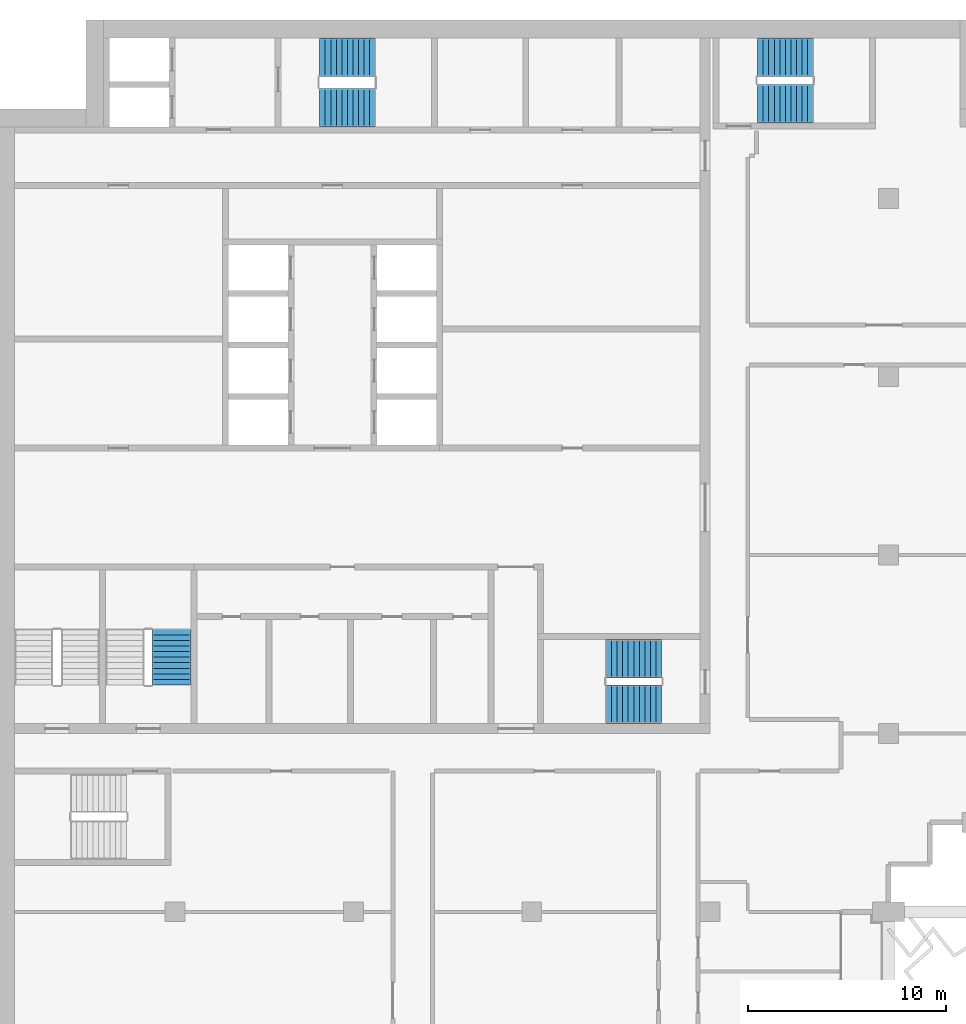
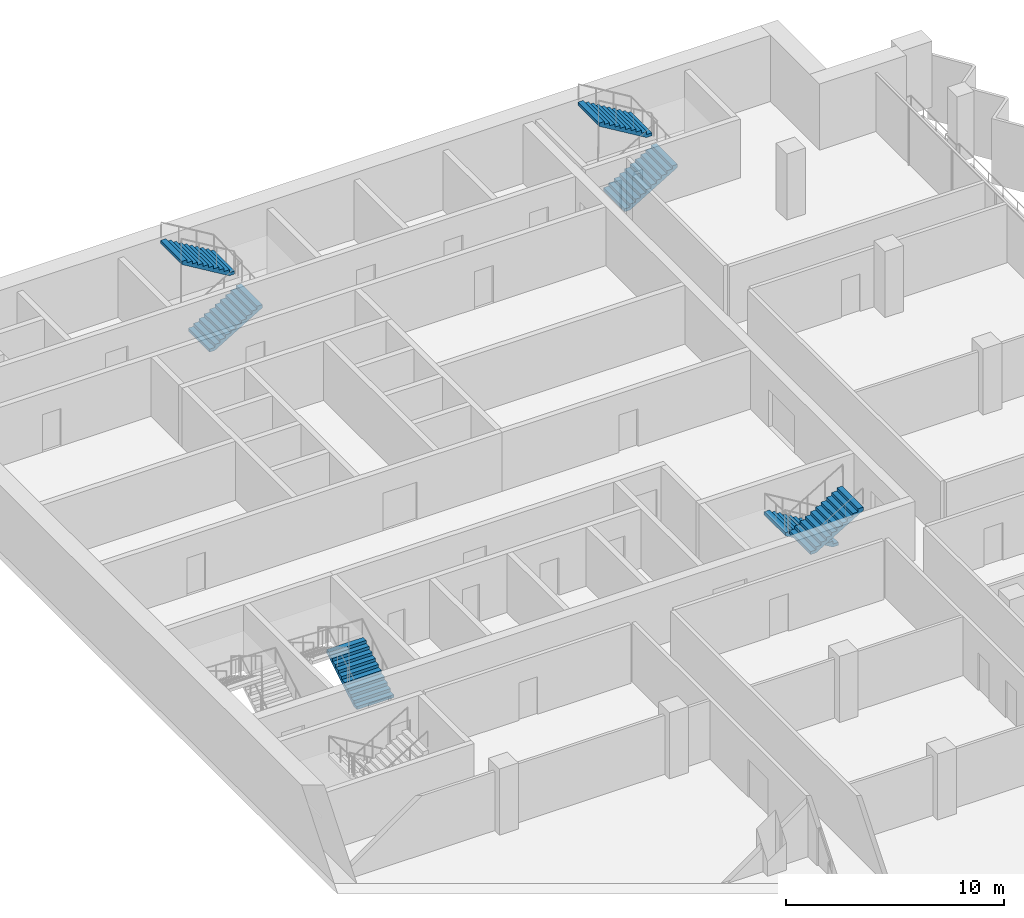
# One storey, part 12 of 16: 7 stair flights, 4 elements without a shape of their own.
"""IFC4 building model written with IfcOpenShell, lengths in metres."""

from ifc_helpers import new_model, si_unit, direction, frame, origin, place, context, subcontext, project, spatial, polyline, outline, extrude, material, type_object, element, aggregate, save


model = new_model("IFC4")

# Units and contexts
model_context = context("Model", 3, precision=1e-05, world=origin(), true_north=direction((0.0, 1.0)))
body_context = subcontext(model_context, "Body", "Model", "MODEL_VIEW")
ifc_project = project(units=[si_unit("LENGTHUNIT", "METRE"), si_unit("AREAUNIT", "SQUARE_METRE"), si_unit("VOLUMEUNIT", "CUBIC_METRE"), si_unit("PLANEANGLEUNIT", "RADIAN"), si_unit("MASSUNIT", "GRAM", prefix="KILO")], contexts=[model_context])

# Site, building, storey
site_placement = place(None, origin())
site = spatial("IfcSite", under=ifc_project, at=site_placement, CompositionType="ELEMENT")
building_placement = place(site_placement, origin())
building = spatial("IfcBuilding", under=site, at=building_placement, Name="Hunhe Ridgeline Campus", CompositionType="ELEMENT")
storey_placement = place(building_placement, frame((0.0, 0.0, 257.699951171875)))
storey = spatial("IfcBuildingStorey", under=building, at=storey_placement, Name="L66", CompositionType="ELEMENT", Elevation=257.699951171875)

# Stair, stair flights
ifc_material = material(Name="Concrete C40", Category="concrete")
stair_type = type_object("IfcStairType", Name="Reinforced concrete dog-leg stair 1950 Concrete C40", PredefinedType="HALF_TURN_STAIR", material=ifc_material)
stair_1_placement = place(storey_placement, origin())
stair_1 = element("IfcStair", 1, at=stair_1_placement, inside=storey, type_object=stair_type, Name="L66 S1", PredefinedType="HALF_TURN_STAIR")
stair_flight_type = type_object("IfcStairFlightType", Name="Reinforced concrete stair flight 1950 Concrete C40", PredefinedType="STRAIGHT", material=ifc_material)
stair_flight_1_placement = place(storey_placement, frame((16.300048828125, 94.574951171875, 0.0), z_axis=(0.0, 0.0, 1.0), x_axis=(1.0, 0.0, 0.0)))
stair_flight_1 = element("IfcStairFlight", 2, at=stair_flight_1_placement, type_object=stair_flight_type, Name="ST1 flight 1", NumberOfRisers=11, NumberOfTreads=10, PredefinedType="STRAIGHT", RiserHeight=0.168181818, TreadLength=0.28, context=body_context, shape_type="SweptSolid", body=[
    extrude(outline(polyline([(0.0, 0.0), (0.0, 0.168212890625), (0.280029296875, 0.168212890625), (0.280029296875, 0.33642578125), (0.56005859375, 0.33642578125), (0.56005859375, 0.504638671875), (0.840087890625, 0.504638671875), (0.840087890625, 0.672607421875), (1.1201171875, 0.672607421875), (1.1201171875, 0.8408203125), (1.39990234375, 0.8408203125), (1.39990234375, 1.009033203125), (1.679931640625, 1.009033203125), (1.679931640625, 1.17724609375), (1.9599609375, 1.17724609375), (1.9599609375, 1.345458984375), (2.239990234375, 1.345458984375), (2.239990234375, 1.513671875), (2.52001953125, 1.513671875), (2.52001953125, 1.681884765625), (2.800048828125, 1.681884765625), (2.800048828125, 1.85009765625), (2.800048828125, 1.5068359375), (0.291015625, 0.0), (0.0, 0.0)])), frame((0.0, 0.97509765625, 0.0), z_axis=(0.0, -1.0, 0.0), x_axis=(1.0, 0.0, 0.0)), (0.0, 0.0, 1.0), 1.949951171875),
    extrude(outline(polyline([(0.030029296875, 0.030029296875), (0.030029296875, 0.13818359375), (0.31005859375, 0.13818359375), (0.31005859375, 0.306396484375), (0.590087890625, 0.306396484375), (0.590087890625, 0.474609375), (0.8701171875, 0.474609375), (0.8701171875, 0.642578125), (1.14990234375, 0.642578125), (1.14990234375, 0.810791015625), (1.429931640625, 0.810791015625), (1.429931640625, 0.97900390625), (1.7099609375, 0.97900390625), (1.7099609375, 1.147216796875), (1.989990234375, 1.147216796875), (1.989990234375, 1.3154296875), (2.27001953125, 1.3154296875), (2.27001953125, 1.483642578125), (2.550048828125, 1.483642578125), (2.550048828125, 1.65185546875), (2.77001953125, 1.65185546875), (2.77001953125, 1.52392578125), (0.28271484375, 0.030029296875), (0.030029296875, 0.030029296875)])), frame((0.0, -0.070068359375, 0.0), z_axis=(0.0, -1.0, 0.0), x_axis=(1.0, 0.0, 0.0)), (0.0, 0.0, 1.0), 0.019775390625),
    extrude(outline(polyline([(0.030029296875, 0.030029296875), (0.030029296875, 0.13818359375), (0.31005859375, 0.13818359375), (0.31005859375, 0.306396484375), (0.590087890625, 0.306396484375), (0.590087890625, 0.474609375), (0.8701171875, 0.474609375), (0.8701171875, 0.642578125), (1.14990234375, 0.642578125), (1.14990234375, 0.810791015625), (1.429931640625, 0.810791015625), (1.429931640625, 0.97900390625), (1.7099609375, 0.97900390625), (1.7099609375, 1.147216796875), (1.989990234375, 1.147216796875), (1.989990234375, 1.3154296875), (2.27001953125, 1.3154296875), (2.27001953125, 1.483642578125), (2.550048828125, 1.483642578125), (2.550048828125, 1.65185546875), (2.77001953125, 1.65185546875), (2.77001953125, 1.52392578125), (0.28271484375, 0.030029296875), (0.030029296875, 0.030029296875)])), frame((0.0, 0.010009765625, 0.0), z_axis=(0.0, -1.0, 0.0), x_axis=(1.0, 0.0, 0.0)), (0.0, 0.0, 1.0), 0.019775390625),
    extrude(outline(polyline([(0.030029296875, 0.030029296875), (0.030029296875, 0.13818359375), (0.31005859375, 0.13818359375), (0.31005859375, 0.306396484375), (0.590087890625, 0.306396484375), (0.590087890625, 0.474609375), (0.8701171875, 0.474609375), (0.8701171875, 0.642578125), (1.14990234375, 0.642578125), (1.14990234375, 0.810791015625), (1.429931640625, 0.810791015625), (1.429931640625, 0.97900390625), (1.7099609375, 0.97900390625), (1.7099609375, 1.147216796875), (1.989990234375, 1.147216796875), (1.989990234375, 1.3154296875), (2.27001953125, 1.3154296875), (2.27001953125, 1.483642578125), (2.550048828125, 1.483642578125), (2.550048828125, 1.65185546875), (2.77001953125, 1.65185546875), (2.77001953125, 1.52392578125), (0.28271484375, 0.030029296875), (0.030029296875, 0.030029296875)])), frame((0.0, 0.090087890625, 0.0), z_axis=(0.0, -1.0, 0.0), x_axis=(1.0, 0.0, 0.0)), (0.0, 0.0, 1.0), 0.019775390625),
])
stair_flight_2_placement = place(storey_placement, frame((19.10009765625, 97.125, 1.85009765625), z_axis=(0.0, 0.0, 1.0), x_axis=(-1.0, 0.0, 0.0)))
stair_flight_2 = element("IfcStairFlight", 3, at=stair_flight_2_placement, type_object=stair_flight_type, Name="ST1 flight 2", NumberOfRisers=11, NumberOfTreads=10, PredefinedType="STRAIGHT", RiserHeight=0.168181818, TreadLength=0.28, context=body_context, shape_type="SweptSolid", body=[
    extrude(outline(polyline([(0.0, 0.0), (0.0, 0.168212890625), (0.280029296875, 0.168212890625), (0.280029296875, 0.33642578125), (0.56005859375, 0.33642578125), (0.56005859375, 0.504638671875), (0.840087890625, 0.504638671875), (0.840087890625, 0.672607421875), (1.1201171875, 0.672607421875), (1.1201171875, 0.8408203125), (1.39990234375, 0.8408203125), (1.39990234375, 1.009033203125), (1.679931640625, 1.009033203125), (1.679931640625, 1.17724609375), (1.9599609375, 1.17724609375), (1.9599609375, 1.345458984375), (2.239990234375, 1.345458984375), (2.239990234375, 1.513671875), (2.52001953125, 1.513671875), (2.52001953125, 1.681884765625), (2.800048828125, 1.681884765625), (2.800048828125, 1.85009765625), (2.800048828125, 1.5068359375), (0.291015625, 0.0), (0.0, 0.0)])), frame((0.0, 0.97509765625, 0.0), z_axis=(0.0, -1.0, 0.0), x_axis=(1.0, 0.0, 0.0)), (0.0, 0.0, 1.0), 1.949951171875),
    extrude(outline(polyline([(0.030029296875, 0.030029296875), (0.030029296875, 0.13818359375), (0.31005859375, 0.13818359375), (0.31005859375, 0.306396484375), (0.590087890625, 0.306396484375), (0.590087890625, 0.474609375), (0.8701171875, 0.474609375), (0.8701171875, 0.642578125), (1.14990234375, 0.642578125), (1.14990234375, 0.810791015625), (1.429931640625, 0.810791015625), (1.429931640625, 0.97900390625), (1.7099609375, 0.97900390625), (1.7099609375, 1.147216796875), (1.989990234375, 1.147216796875), (1.989990234375, 1.3154296875), (2.27001953125, 1.3154296875), (2.27001953125, 1.483642578125), (2.550048828125, 1.483642578125), (2.550048828125, 1.65185546875), (2.77001953125, 1.65185546875), (2.77001953125, 1.52392578125), (0.28271484375, 0.030029296875), (0.030029296875, 0.030029296875)])), frame((0.0, -0.070068359375, 0.0), z_axis=(0.0, -1.0, 0.0), x_axis=(1.0, 0.0, 0.0)), (0.0, 0.0, 1.0), 0.019775390625),
    extrude(outline(polyline([(0.030029296875, 0.030029296875), (0.030029296875, 0.13818359375), (0.31005859375, 0.13818359375), (0.31005859375, 0.306396484375), (0.590087890625, 0.306396484375), (0.590087890625, 0.474609375), (0.8701171875, 0.474609375), (0.8701171875, 0.642578125), (1.14990234375, 0.642578125), (1.14990234375, 0.810791015625), (1.429931640625, 0.810791015625), (1.429931640625, 0.97900390625), (1.7099609375, 0.97900390625), (1.7099609375, 1.147216796875), (1.989990234375, 1.147216796875), (1.989990234375, 1.3154296875), (2.27001953125, 1.3154296875), (2.27001953125, 1.483642578125), (2.550048828125, 1.483642578125), (2.550048828125, 1.65185546875), (2.77001953125, 1.65185546875), (2.77001953125, 1.52392578125), (0.28271484375, 0.030029296875), (0.030029296875, 0.030029296875)])), frame((0.0, 0.010009765625, 0.0), z_axis=(0.0, -1.0, 0.0), x_axis=(1.0, 0.0, 0.0)), (0.0, 0.0, 1.0), 0.019775390625),
    extrude(outline(polyline([(0.030029296875, 0.030029296875), (0.030029296875, 0.13818359375), (0.31005859375, 0.13818359375), (0.31005859375, 0.306396484375), (0.590087890625, 0.306396484375), (0.590087890625, 0.474609375), (0.8701171875, 0.474609375), (0.8701171875, 0.642578125), (1.14990234375, 0.642578125), (1.14990234375, 0.810791015625), (1.429931640625, 0.810791015625), (1.429931640625, 0.97900390625), (1.7099609375, 0.97900390625), (1.7099609375, 1.147216796875), (1.989990234375, 1.147216796875), (1.989990234375, 1.3154296875), (2.27001953125, 1.3154296875), (2.27001953125, 1.483642578125), (2.550048828125, 1.483642578125), (2.550048828125, 1.65185546875), (2.77001953125, 1.65185546875), (2.77001953125, 1.52392578125), (0.28271484375, 0.030029296875), (0.030029296875, 0.030029296875)])), frame((0.0, 0.090087890625, 0.0), z_axis=(0.0, -1.0, 0.0), x_axis=(1.0, 0.0, 0.0)), (0.0, 0.0, 1.0), 0.019775390625),
])
aggregate(stair_1, [stair_flight_1, stair_flight_2])

stair_2_placement = place(storey_placement, origin())
stair_2 = element("IfcStair", 4, at=stair_2_placement, inside=storey, type_object=stair_type, Name="L66 S2", PredefinedType="HALF_TURN_STAIR")
stair_flight_3_placement = place(storey_placement, frame((33.550048828125, 66.77490234375, 0.0), z_axis=(0.0, 0.0, 1.0), x_axis=(-1.0, 0.0, 0.0)))
stair_flight_3 = element("IfcStairFlight", 5, at=stair_flight_3_placement, type_object=stair_flight_type, Name="ST2 flight 1", NumberOfRisers=11, NumberOfTreads=10, PredefinedType="STRAIGHT", RiserHeight=0.168181818, TreadLength=0.28, context=body_context, shape_type="SweptSolid", body=[
    extrude(outline(polyline([(0.0, 0.0), (0.0, 0.168212890625), (0.280029296875, 0.168212890625), (0.280029296875, 0.33642578125), (0.56005859375, 0.33642578125), (0.56005859375, 0.504638671875), (0.840087890625, 0.504638671875), (0.840087890625, 0.672607421875), (1.1201171875, 0.672607421875), (1.1201171875, 0.8408203125), (1.39990234375, 0.8408203125), (1.39990234375, 1.009033203125), (1.679931640625, 1.009033203125), (1.679931640625, 1.17724609375), (1.9599609375, 1.17724609375), (1.9599609375, 1.345458984375), (2.239990234375, 1.345458984375), (2.239990234375, 1.513671875), (2.52001953125, 1.513671875), (2.52001953125, 1.681884765625), (2.800048828125, 1.681884765625), (2.800048828125, 1.85009765625), (2.800048828125, 1.5068359375), (0.291015625, 0.0), (0.0, 0.0)])), frame((0.0, 0.97509765625, 0.0), z_axis=(0.0, -1.0, 0.0), x_axis=(1.0, 0.0, 0.0)), (0.0, 0.0, 1.0), 1.949951171875),
    extrude(outline(polyline([(0.030029296875, 0.030029296875), (0.030029296875, 0.13818359375), (0.31005859375, 0.13818359375), (0.31005859375, 0.306396484375), (0.590087890625, 0.306396484375), (0.590087890625, 0.474609375), (0.8701171875, 0.474609375), (0.8701171875, 0.642578125), (1.14990234375, 0.642578125), (1.14990234375, 0.810791015625), (1.429931640625, 0.810791015625), (1.429931640625, 0.97900390625), (1.7099609375, 0.97900390625), (1.7099609375, 1.147216796875), (1.989990234375, 1.147216796875), (1.989990234375, 1.3154296875), (2.27001953125, 1.3154296875), (2.27001953125, 1.483642578125), (2.550048828125, 1.483642578125), (2.550048828125, 1.65185546875), (2.77001953125, 1.65185546875), (2.77001953125, 1.52392578125), (0.28271484375, 0.030029296875), (0.030029296875, 0.030029296875)])), frame((0.0, -0.070068359375, 0.0), z_axis=(0.0, -1.0, 0.0), x_axis=(1.0, 0.0, 0.0)), (0.0, 0.0, 1.0), 0.019775390625),
    extrude(outline(polyline([(0.030029296875, 0.030029296875), (0.030029296875, 0.13818359375), (0.31005859375, 0.13818359375), (0.31005859375, 0.306396484375), (0.590087890625, 0.306396484375), (0.590087890625, 0.474609375), (0.8701171875, 0.474609375), (0.8701171875, 0.642578125), (1.14990234375, 0.642578125), (1.14990234375, 0.810791015625), (1.429931640625, 0.810791015625), (1.429931640625, 0.97900390625), (1.7099609375, 0.97900390625), (1.7099609375, 1.147216796875), (1.989990234375, 1.147216796875), (1.989990234375, 1.3154296875), (2.27001953125, 1.3154296875), (2.27001953125, 1.483642578125), (2.550048828125, 1.483642578125), (2.550048828125, 1.65185546875), (2.77001953125, 1.65185546875), (2.77001953125, 1.52392578125), (0.28271484375, 0.030029296875), (0.030029296875, 0.030029296875)])), frame((0.0, 0.010009765625, 0.0), z_axis=(0.0, -1.0, 0.0), x_axis=(1.0, 0.0, 0.0)), (0.0, 0.0, 1.0), 0.019775390625),
    extrude(outline(polyline([(0.030029296875, 0.030029296875), (0.030029296875, 0.13818359375), (0.31005859375, 0.13818359375), (0.31005859375, 0.306396484375), (0.590087890625, 0.306396484375), (0.590087890625, 0.474609375), (0.8701171875, 0.474609375), (0.8701171875, 0.642578125), (1.14990234375, 0.642578125), (1.14990234375, 0.810791015625), (1.429931640625, 0.810791015625), (1.429931640625, 0.97900390625), (1.7099609375, 0.97900390625), (1.7099609375, 1.147216796875), (1.989990234375, 1.147216796875), (1.989990234375, 1.3154296875), (2.27001953125, 1.3154296875), (2.27001953125, 1.483642578125), (2.550048828125, 1.483642578125), (2.550048828125, 1.65185546875), (2.77001953125, 1.65185546875), (2.77001953125, 1.52392578125), (0.28271484375, 0.030029296875), (0.030029296875, 0.030029296875)])), frame((0.0, 0.090087890625, 0.0), z_axis=(0.0, -1.0, 0.0), x_axis=(1.0, 0.0, 0.0)), (0.0, 0.0, 1.0), 0.019775390625),
])
stair_flight_4_placement = place(storey_placement, frame((30.75, 64.47509765625, 1.85009765625), z_axis=(0.0, 0.0, 1.0), x_axis=(1.0, 0.0, 0.0)))
stair_flight_4 = element("IfcStairFlight", 6, at=stair_flight_4_placement, type_object=stair_flight_type, Name="ST2 flight 2", NumberOfRisers=11, NumberOfTreads=10, PredefinedType="STRAIGHT", RiserHeight=0.168181818, TreadLength=0.28, context=body_context, shape_type="SweptSolid", body=[
    extrude(outline(polyline([(0.0, 0.0), (0.0, 0.168212890625), (0.280029296875, 0.168212890625), (0.280029296875, 0.33642578125), (0.56005859375, 0.33642578125), (0.56005859375, 0.504638671875), (0.840087890625, 0.504638671875), (0.840087890625, 0.672607421875), (1.1201171875, 0.672607421875), (1.1201171875, 0.8408203125), (1.39990234375, 0.8408203125), (1.39990234375, 1.009033203125), (1.679931640625, 1.009033203125), (1.679931640625, 1.17724609375), (1.9599609375, 1.17724609375), (1.9599609375, 1.345458984375), (2.239990234375, 1.345458984375), (2.239990234375, 1.513671875), (2.52001953125, 1.513671875), (2.52001953125, 1.681884765625), (2.800048828125, 1.681884765625), (2.800048828125, 1.85009765625), (2.800048828125, 1.5068359375), (0.291015625, 0.0), (0.0, 0.0)])), frame((0.0, 0.97509765625, 0.0), z_axis=(0.0, -1.0, 0.0), x_axis=(1.0, 0.0, 0.0)), (0.0, 0.0, 1.0), 1.949951171875),
    extrude(outline(polyline([(0.030029296875, 0.030029296875), (0.030029296875, 0.13818359375), (0.31005859375, 0.13818359375), (0.31005859375, 0.306396484375), (0.590087890625, 0.306396484375), (0.590087890625, 0.474609375), (0.8701171875, 0.474609375), (0.8701171875, 0.642578125), (1.14990234375, 0.642578125), (1.14990234375, 0.810791015625), (1.429931640625, 0.810791015625), (1.429931640625, 0.97900390625), (1.7099609375, 0.97900390625), (1.7099609375, 1.147216796875), (1.989990234375, 1.147216796875), (1.989990234375, 1.3154296875), (2.27001953125, 1.3154296875), (2.27001953125, 1.483642578125), (2.550048828125, 1.483642578125), (2.550048828125, 1.65185546875), (2.77001953125, 1.65185546875), (2.77001953125, 1.52392578125), (0.28271484375, 0.030029296875), (0.030029296875, 0.030029296875)])), frame((0.0, -0.070068359375, 0.0), z_axis=(0.0, -1.0, 0.0), x_axis=(1.0, 0.0, 0.0)), (0.0, 0.0, 1.0), 0.019775390625),
    extrude(outline(polyline([(0.030029296875, 0.030029296875), (0.030029296875, 0.13818359375), (0.31005859375, 0.13818359375), (0.31005859375, 0.306396484375), (0.590087890625, 0.306396484375), (0.590087890625, 0.474609375), (0.8701171875, 0.474609375), (0.8701171875, 0.642578125), (1.14990234375, 0.642578125), (1.14990234375, 0.810791015625), (1.429931640625, 0.810791015625), (1.429931640625, 0.97900390625), (1.7099609375, 0.97900390625), (1.7099609375, 1.147216796875), (1.989990234375, 1.147216796875), (1.989990234375, 1.3154296875), (2.27001953125, 1.3154296875), (2.27001953125, 1.483642578125), (2.550048828125, 1.483642578125), (2.550048828125, 1.65185546875), (2.77001953125, 1.65185546875), (2.77001953125, 1.52392578125), (0.28271484375, 0.030029296875), (0.030029296875, 0.030029296875)])), frame((0.0, 0.010009765625, 0.0), z_axis=(0.0, -1.0, 0.0), x_axis=(1.0, 0.0, 0.0)), (0.0, 0.0, 1.0), 0.019775390625),
    extrude(outline(polyline([(0.030029296875, 0.030029296875), (0.030029296875, 0.13818359375), (0.31005859375, 0.13818359375), (0.31005859375, 0.306396484375), (0.590087890625, 0.306396484375), (0.590087890625, 0.474609375), (0.8701171875, 0.474609375), (0.8701171875, 0.642578125), (1.14990234375, 0.642578125), (1.14990234375, 0.810791015625), (1.429931640625, 0.810791015625), (1.429931640625, 0.97900390625), (1.7099609375, 0.97900390625), (1.7099609375, 1.147216796875), (1.989990234375, 1.147216796875), (1.989990234375, 1.3154296875), (2.27001953125, 1.3154296875), (2.27001953125, 1.483642578125), (2.550048828125, 1.483642578125), (2.550048828125, 1.65185546875), (2.77001953125, 1.65185546875), (2.77001953125, 1.52392578125), (0.28271484375, 0.030029296875), (0.030029296875, 0.030029296875)])), frame((0.0, 0.090087890625, 0.0), z_axis=(0.0, -1.0, 0.0), x_axis=(1.0, 0.0, 0.0)), (0.0, 0.0, 1.0), 0.019775390625),
])
aggregate(stair_2, [stair_flight_3, stair_flight_4])

# Stair, stair flight
stair_3_placement = place(storey_placement, origin())
stair_3 = element("IfcStair", 7, at=stair_3_placement, inside=storey, type_object=stair_type, Name="L66 S4", PredefinedType="HALF_TURN_STAIR")
stair_flight_5_placement = place(storey_placement, frame((8.824951171875, 65.449951171875, 0.0), z_axis=(0.0, 0.0, 1.0), x_axis=(0.0, 1.0, 0.0)))
stair_flight_5 = element("IfcStairFlight", 8, at=stair_flight_5_placement, type_object=stair_flight_type, Name="ST4 flight 1", NumberOfRisers=11, NumberOfTreads=10, PredefinedType="STRAIGHT", RiserHeight=0.168181818, TreadLength=0.28, context=body_context, shape_type="SweptSolid", body=[
    extrude(outline(polyline([(0.0, 0.0), (0.0, 0.168212890625), (0.280029296875, 0.168212890625), (0.280029296875, 0.33642578125), (0.56005859375, 0.33642578125), (0.56005859375, 0.504638671875), (0.840087890625, 0.504638671875), (0.840087890625, 0.672607421875), (1.1201171875, 0.672607421875), (1.1201171875, 0.8408203125), (1.39990234375, 0.8408203125), (1.39990234375, 1.009033203125), (1.679931640625, 1.009033203125), (1.679931640625, 1.17724609375), (1.9599609375, 1.17724609375), (1.9599609375, 1.345458984375), (2.239990234375, 1.345458984375), (2.239990234375, 1.513671875), (2.52001953125, 1.513671875), (2.52001953125, 1.681884765625), (2.800048828125, 1.681884765625), (2.800048828125, 1.85009765625), (2.800048828125, 1.5068359375), (0.291015625, 0.0), (0.0, 0.0)])), frame((0.0, 0.97509765625, 0.0), z_axis=(0.0, -1.0, 0.0), x_axis=(1.0, 0.0, 0.0)), (0.0, 0.0, 1.0), 1.949951171875),
    extrude(outline(polyline([(0.030029296875, 0.030029296875), (0.030029296875, 0.13818359375), (0.31005859375, 0.13818359375), (0.31005859375, 0.306396484375), (0.590087890625, 0.306396484375), (0.590087890625, 0.474609375), (0.8701171875, 0.474609375), (0.8701171875, 0.642578125), (1.14990234375, 0.642578125), (1.14990234375, 0.810791015625), (1.429931640625, 0.810791015625), (1.429931640625, 0.97900390625), (1.7099609375, 0.97900390625), (1.7099609375, 1.147216796875), (1.989990234375, 1.147216796875), (1.989990234375, 1.3154296875), (2.27001953125, 1.3154296875), (2.27001953125, 1.483642578125), (2.550048828125, 1.483642578125), (2.550048828125, 1.65185546875), (2.77001953125, 1.65185546875), (2.77001953125, 1.52392578125), (0.28271484375, 0.030029296875), (0.030029296875, 0.030029296875)])), frame((0.0, -0.070068359375, 0.0), z_axis=(0.0, -1.0, 0.0), x_axis=(1.0, 0.0, 0.0)), (0.0, 0.0, 1.0), 0.019775390625),
    extrude(outline(polyline([(0.030029296875, 0.030029296875), (0.030029296875, 0.13818359375), (0.31005859375, 0.13818359375), (0.31005859375, 0.306396484375), (0.590087890625, 0.306396484375), (0.590087890625, 0.474609375), (0.8701171875, 0.474609375), (0.8701171875, 0.642578125), (1.14990234375, 0.642578125), (1.14990234375, 0.810791015625), (1.429931640625, 0.810791015625), (1.429931640625, 0.97900390625), (1.7099609375, 0.97900390625), (1.7099609375, 1.147216796875), (1.989990234375, 1.147216796875), (1.989990234375, 1.3154296875), (2.27001953125, 1.3154296875), (2.27001953125, 1.483642578125), (2.550048828125, 1.483642578125), (2.550048828125, 1.65185546875), (2.77001953125, 1.65185546875), (2.77001953125, 1.52392578125), (0.28271484375, 0.030029296875), (0.030029296875, 0.030029296875)])), frame((0.0, 0.010009765625, 0.0), z_axis=(0.0, -1.0, 0.0), x_axis=(1.0, 0.0, 0.0)), (0.0, 0.0, 1.0), 0.019775390625),
    extrude(outline(polyline([(0.030029296875, 0.030029296875), (0.030029296875, 0.13818359375), (0.31005859375, 0.13818359375), (0.31005859375, 0.306396484375), (0.590087890625, 0.306396484375), (0.590087890625, 0.474609375), (0.8701171875, 0.474609375), (0.8701171875, 0.642578125), (1.14990234375, 0.642578125), (1.14990234375, 0.810791015625), (1.429931640625, 0.810791015625), (1.429931640625, 0.97900390625), (1.7099609375, 0.97900390625), (1.7099609375, 1.147216796875), (1.989990234375, 1.147216796875), (1.989990234375, 1.3154296875), (2.27001953125, 1.3154296875), (2.27001953125, 1.483642578125), (2.550048828125, 1.483642578125), (2.550048828125, 1.65185546875), (2.77001953125, 1.65185546875), (2.77001953125, 1.52392578125), (0.28271484375, 0.030029296875), (0.030029296875, 0.030029296875)])), frame((0.0, 0.090087890625, 0.0), z_axis=(0.0, -1.0, 0.0), x_axis=(1.0, 0.0, 0.0)), (0.0, 0.0, 1.0), 0.019775390625),
])
aggregate(stair_3, [stair_flight_5])

# Stair, stair flights
stair_4_placement = place(storey_placement, origin())
stair_4 = element("IfcStair", 9, at=stair_4_placement, inside=storey, type_object=stair_type, Name="L66 E1", PredefinedType="HALF_TURN_STAIR")
stair_flight_6_placement = place(storey_placement, frame((38.39990234375, 94.77490234375, 0.0), z_axis=(0.0, 0.0, 1.0), x_axis=(1.0, 0.0, 0.0)))
stair_flight_6 = element("IfcStairFlight", 10, at=stair_flight_6_placement, type_object=stair_flight_type, Name="ST5 flight 1", NumberOfRisers=11, NumberOfTreads=10, PredefinedType="STRAIGHT", RiserHeight=0.168181818, TreadLength=0.28, context=body_context, shape_type="SweptSolid", body=[
    extrude(outline(polyline([(0.0, 0.0), (0.0, 0.168212890625), (0.280029296875, 0.168212890625), (0.280029296875, 0.33642578125), (0.56005859375, 0.33642578125), (0.56005859375, 0.504638671875), (0.840087890625, 0.504638671875), (0.840087890625, 0.672607421875), (1.1201171875, 0.672607421875), (1.1201171875, 0.8408203125), (1.39990234375, 0.8408203125), (1.39990234375, 1.009033203125), (1.679931640625, 1.009033203125), (1.679931640625, 1.17724609375), (1.9599609375, 1.17724609375), (1.9599609375, 1.345458984375), (2.239990234375, 1.345458984375), (2.239990234375, 1.513671875), (2.52001953125, 1.513671875), (2.52001953125, 1.681884765625), (2.800048828125, 1.681884765625), (2.800048828125, 1.85009765625), (2.800048828125, 1.5068359375), (0.291015625, 0.0), (0.0, 0.0)])), frame((0.0, 0.97509765625, 0.0), z_axis=(0.0, -1.0, 0.0), x_axis=(1.0, 0.0, 0.0)), (0.0, 0.0, 1.0), 1.949951171875),
    extrude(outline(polyline([(0.030029296875, 0.030029296875), (0.030029296875, 0.13818359375), (0.31005859375, 0.13818359375), (0.31005859375, 0.306396484375), (0.590087890625, 0.306396484375), (0.590087890625, 0.474609375), (0.8701171875, 0.474609375), (0.8701171875, 0.642578125), (1.14990234375, 0.642578125), (1.14990234375, 0.810791015625), (1.429931640625, 0.810791015625), (1.429931640625, 0.97900390625), (1.7099609375, 0.97900390625), (1.7099609375, 1.147216796875), (1.989990234375, 1.147216796875), (1.989990234375, 1.3154296875), (2.27001953125, 1.3154296875), (2.27001953125, 1.483642578125), (2.550048828125, 1.483642578125), (2.550048828125, 1.65185546875), (2.77001953125, 1.65185546875), (2.77001953125, 1.52392578125), (0.28271484375, 0.030029296875), (0.030029296875, 0.030029296875)])), frame((0.0, -0.070068359375, 0.0), z_axis=(0.0, -1.0, 0.0), x_axis=(1.0, 0.0, 0.0)), (0.0, 0.0, 1.0), 0.019775390625),
    extrude(outline(polyline([(0.030029296875, 0.030029296875), (0.030029296875, 0.13818359375), (0.31005859375, 0.13818359375), (0.31005859375, 0.306396484375), (0.590087890625, 0.306396484375), (0.590087890625, 0.474609375), (0.8701171875, 0.474609375), (0.8701171875, 0.642578125), (1.14990234375, 0.642578125), (1.14990234375, 0.810791015625), (1.429931640625, 0.810791015625), (1.429931640625, 0.97900390625), (1.7099609375, 0.97900390625), (1.7099609375, 1.147216796875), (1.989990234375, 1.147216796875), (1.989990234375, 1.3154296875), (2.27001953125, 1.3154296875), (2.27001953125, 1.483642578125), (2.550048828125, 1.483642578125), (2.550048828125, 1.65185546875), (2.77001953125, 1.65185546875), (2.77001953125, 1.52392578125), (0.28271484375, 0.030029296875), (0.030029296875, 0.030029296875)])), frame((0.0, 0.010009765625, 0.0), z_axis=(0.0, -1.0, 0.0), x_axis=(1.0, 0.0, 0.0)), (0.0, 0.0, 1.0), 0.019775390625),
    extrude(outline(polyline([(0.030029296875, 0.030029296875), (0.030029296875, 0.13818359375), (0.31005859375, 0.13818359375), (0.31005859375, 0.306396484375), (0.590087890625, 0.306396484375), (0.590087890625, 0.474609375), (0.8701171875, 0.474609375), (0.8701171875, 0.642578125), (1.14990234375, 0.642578125), (1.14990234375, 0.810791015625), (1.429931640625, 0.810791015625), (1.429931640625, 0.97900390625), (1.7099609375, 0.97900390625), (1.7099609375, 1.147216796875), (1.989990234375, 1.147216796875), (1.989990234375, 1.3154296875), (2.27001953125, 1.3154296875), (2.27001953125, 1.483642578125), (2.550048828125, 1.483642578125), (2.550048828125, 1.65185546875), (2.77001953125, 1.65185546875), (2.77001953125, 1.52392578125), (0.28271484375, 0.030029296875), (0.030029296875, 0.030029296875)])), frame((0.0, 0.090087890625, 0.0), z_axis=(0.0, -1.0, 0.0), x_axis=(1.0, 0.0, 0.0)), (0.0, 0.0, 1.0), 0.019775390625),
])
stair_flight_7_placement = place(storey_placement, frame((41.199951171875, 97.125, 1.85009765625), z_axis=(0.0, 0.0, 1.0), x_axis=(-1.0, 0.0, 0.0)))
stair_flight_7 = element("IfcStairFlight", 11, at=stair_flight_7_placement, type_object=stair_flight_type, Name="ST5 flight 2", NumberOfRisers=11, NumberOfTreads=10, PredefinedType="STRAIGHT", RiserHeight=0.168181818, TreadLength=0.28, context=body_context, shape_type="SweptSolid", body=[
    extrude(outline(polyline([(0.0, 0.0), (0.0, 0.168212890625), (0.280029296875, 0.168212890625), (0.280029296875, 0.33642578125), (0.56005859375, 0.33642578125), (0.56005859375, 0.504638671875), (0.840087890625, 0.504638671875), (0.840087890625, 0.672607421875), (1.1201171875, 0.672607421875), (1.1201171875, 0.8408203125), (1.39990234375, 0.8408203125), (1.39990234375, 1.009033203125), (1.679931640625, 1.009033203125), (1.679931640625, 1.17724609375), (1.9599609375, 1.17724609375), (1.9599609375, 1.345458984375), (2.239990234375, 1.345458984375), (2.239990234375, 1.513671875), (2.52001953125, 1.513671875), (2.52001953125, 1.681884765625), (2.800048828125, 1.681884765625), (2.800048828125, 1.85009765625), (2.800048828125, 1.5068359375), (0.291015625, 0.0), (0.0, 0.0)])), frame((0.0, 0.97509765625, 0.0), z_axis=(0.0, -1.0, 0.0), x_axis=(1.0, 0.0, 0.0)), (0.0, 0.0, 1.0), 1.949951171875),
    extrude(outline(polyline([(0.030029296875, 0.030029296875), (0.030029296875, 0.13818359375), (0.31005859375, 0.13818359375), (0.31005859375, 0.306396484375), (0.590087890625, 0.306396484375), (0.590087890625, 0.474609375), (0.8701171875, 0.474609375), (0.8701171875, 0.642578125), (1.14990234375, 0.642578125), (1.14990234375, 0.810791015625), (1.429931640625, 0.810791015625), (1.429931640625, 0.97900390625), (1.7099609375, 0.97900390625), (1.7099609375, 1.147216796875), (1.989990234375, 1.147216796875), (1.989990234375, 1.3154296875), (2.27001953125, 1.3154296875), (2.27001953125, 1.483642578125), (2.550048828125, 1.483642578125), (2.550048828125, 1.65185546875), (2.77001953125, 1.65185546875), (2.77001953125, 1.52392578125), (0.28271484375, 0.030029296875), (0.030029296875, 0.030029296875)])), frame((0.0, -0.070068359375, 0.0), z_axis=(0.0, -1.0, 0.0), x_axis=(1.0, 0.0, 0.0)), (0.0, 0.0, 1.0), 0.019775390625),
    extrude(outline(polyline([(0.030029296875, 0.030029296875), (0.030029296875, 0.13818359375), (0.31005859375, 0.13818359375), (0.31005859375, 0.306396484375), (0.590087890625, 0.306396484375), (0.590087890625, 0.474609375), (0.8701171875, 0.474609375), (0.8701171875, 0.642578125), (1.14990234375, 0.642578125), (1.14990234375, 0.810791015625), (1.429931640625, 0.810791015625), (1.429931640625, 0.97900390625), (1.7099609375, 0.97900390625), (1.7099609375, 1.147216796875), (1.989990234375, 1.147216796875), (1.989990234375, 1.3154296875), (2.27001953125, 1.3154296875), (2.27001953125, 1.483642578125), (2.550048828125, 1.483642578125), (2.550048828125, 1.65185546875), (2.77001953125, 1.65185546875), (2.77001953125, 1.52392578125), (0.28271484375, 0.030029296875), (0.030029296875, 0.030029296875)])), frame((0.0, 0.010009765625, 0.0), z_axis=(0.0, -1.0, 0.0), x_axis=(1.0, 0.0, 0.0)), (0.0, 0.0, 1.0), 0.019775390625),
    extrude(outline(polyline([(0.030029296875, 0.030029296875), (0.030029296875, 0.13818359375), (0.31005859375, 0.13818359375), (0.31005859375, 0.306396484375), (0.590087890625, 0.306396484375), (0.590087890625, 0.474609375), (0.8701171875, 0.474609375), (0.8701171875, 0.642578125), (1.14990234375, 0.642578125), (1.14990234375, 0.810791015625), (1.429931640625, 0.810791015625), (1.429931640625, 0.97900390625), (1.7099609375, 0.97900390625), (1.7099609375, 1.147216796875), (1.989990234375, 1.147216796875), (1.989990234375, 1.3154296875), (2.27001953125, 1.3154296875), (2.27001953125, 1.483642578125), (2.550048828125, 1.483642578125), (2.550048828125, 1.65185546875), (2.77001953125, 1.65185546875), (2.77001953125, 1.52392578125), (0.28271484375, 0.030029296875), (0.030029296875, 0.030029296875)])), frame((0.0, 0.090087890625, 0.0), z_axis=(0.0, -1.0, 0.0), x_axis=(1.0, 0.0, 0.0)), (0.0, 0.0, 1.0), 0.019775390625),
])
aggregate(stair_4, [stair_flight_6, stair_flight_7])

save(model, "model.ifc")
